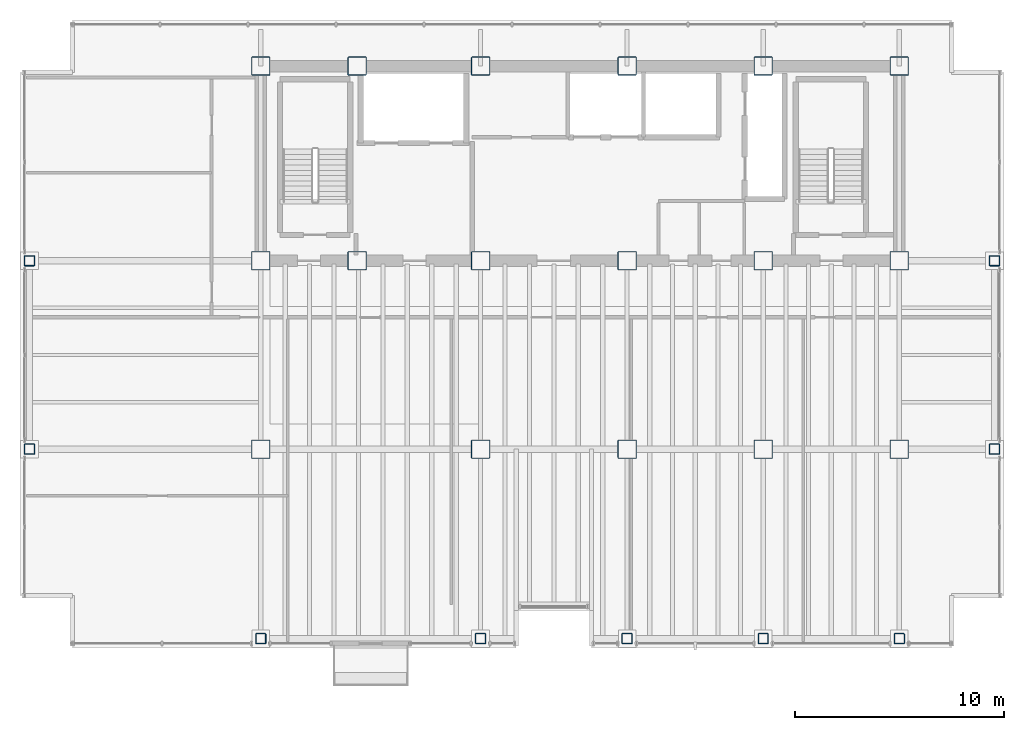
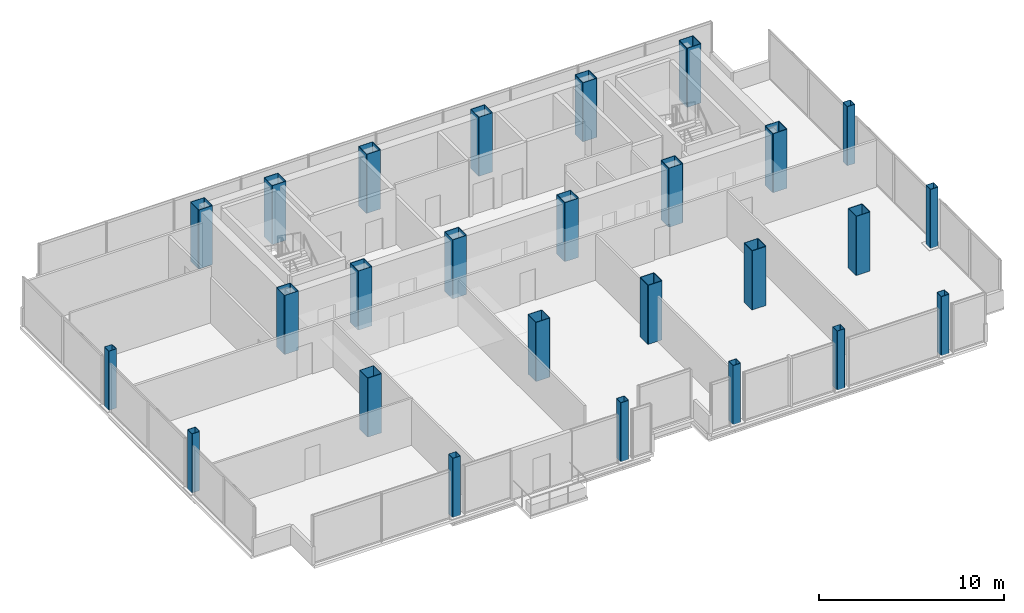
# One storey, part 1 of 20: 26 columns.
"""IFC4 building model written with IfcOpenShell, lengths in metres."""

from ifc_helpers import new_model, si_unit, direction, frame, origin, origin_2d, place, context, subcontext, project, spatial, hollow_rectangle, extrude, material, material_profile, profile_set, type_object, element, save


model = new_model("IFC4")

# Units and contexts
model_context = context("Model", 3, precision=1e-05, world=origin(), true_north=direction((0.0, 1.0)))
body_context = subcontext(model_context, "Body", "Model", "MODEL_VIEW")
ifc_project = project(units=[si_unit("LENGTHUNIT", "METRE"), si_unit("AREAUNIT", "SQUARE_METRE"), si_unit("VOLUMEUNIT", "CUBIC_METRE"), si_unit("PLANEANGLEUNIT", "RADIAN"), si_unit("MASSUNIT", "GRAM", prefix="KILO")], contexts=[model_context])

# Site, building, storey
site_placement = place(None, origin())
site = spatial("IfcSite", under=ifc_project, at=site_placement, CompositionType="ELEMENT")
building_placement = place(site_placement, origin())
building = spatial("IfcBuilding", under=site, at=building_placement, Name="Noeulbin Bourse Tower", CompositionType="ELEMENT")
storey_placement = place(building_placement, frame((0.0, 0.0, 118.800048828125)))
storey = spatial("IfcBuildingStorey", under=building, at=storey_placement, Name="L29", CompositionType="ELEMENT", Elevation=118.800048828125)

# Columns
ifc_material_1 = material(Name="Steel S355", Category="steel")
ifc_material_profile_1 = material_profile(ifc_material_1, hollow_rectangle(XDim=0.5, YDim=0.5, WallThickness=0.02392578125, InnerFilletRadius=0.011962890625, OuterFilletRadius=0.035888671875, at=origin_2d()), Name="BOX-500x500x24", Category="LoadBearing")
ifc_profile_set_1 = profile_set([ifc_material_profile_1], Name="Steel S355")
column_type_1 = type_object("IfcColumnType", Name="COL-PER-Z2", PredefinedType="COLUMN", material=ifc_profile_set_1)
for number, where, z_axis, x_axis, name in (
    (1, (2.449951171875, 20.0, 0.0), (0.0, 0.0, 1.0), (1.0, 0.0, 0.0), "Tower Perimeter Column COL-PER-Z2 01"),
    (2, (2.449951171875, 29.0, 0.0), (0.0, 0.0, 1.0), (1.0, 0.0, 0.0), "Tower Perimeter Column COL-PER-Z2 02"),
    (3, (13.5, 10.949951171875, 0.0), (0.0, 0.0, 1.0), (1.0, 0.0, 0.0), "Tower Perimeter Column COL-PER-Z2 03"),
    (4, (24.0, 10.949951171875, 0.0), (0.0, 0.0, 1.0), (1.0, 0.0, 0.0), "Tower Perimeter Column COL-PER-Z2 04"),
    (5, (31.0, 10.949951171875, 0.0), (0.0, 0.0, 1.0), (1.0, 0.0, 0.0), "Tower Perimeter Column COL-PER-Z2 05"),
    (6, (37.5, 10.949951171875, 0.0), (0.0, 0.0, 1.0), (1.0, 0.0, 0.0), "Tower Perimeter Column COL-PER-Z2 06"),
    (7, (44.0, 10.949951171875, 0.0), (0.0, 0.0, 1.0), (1.0, 0.0, 0.0), "Tower Perimeter Column COL-PER-Z2 07"),
    (8, (48.550048828125, 20.0, 0.0), (0.0, 0.0, 1.0), (1.0, 0.0, 0.0), "Tower Perimeter Column COL-PER-Z2 08"),
    (9, (48.550048828125, 29.0, 0.0), (0.0, 0.0, 1.0), (1.0, 0.0, 0.0), "Tower Perimeter Column COL-PER-Z2 09"),
):
    element("IfcColumn", number, at=place(storey_placement, frame(where, z_axis=z_axis, x_axis=x_axis)), inside=storey, type_object=column_type_1, Name=name, PredefinedType="COLUMN", context=body_context, shape_type="SweptSolid", body=[
        extrude(hollow_rectangle(XDim=0.5, YDim=0.5, WallThickness=0.02392578125, InnerFilletRadius=0.011962890625, OuterFilletRadius=0.035888671875, at=origin_2d()), origin(), (0.0, 0.0, 1.0), 3.89990234375),
    ])
ifc_material_2 = material(Name="Steel S460", Category="steel")
ifc_material_profile_2 = material_profile(ifc_material_2, hollow_rectangle(XDim=0.89990234375, YDim=0.89990234375, WallThickness=0.034912109375, InnerFilletRadius=0.01708984375, OuterFilletRadius=0.052001953125, at=origin_2d()), Name="BOX-900x900x35", Category="LoadBearing")
ifc_profile_set_2 = profile_set([ifc_material_profile_2], Name="Steel S460")
column_type_2 = type_object("IfcColumnType", Name="COL-TRK-Z2", PredefinedType="COLUMN", material=ifc_profile_set_2)
for number, where, z_axis, x_axis, name in (
    (10, (13.5, 29.0, 0.0), (0.0, 0.0, 1.0), (1.0, 0.0, 0.0), "Tower Trunk Mega-Column COL-TRK-Z2 01"),
    (11, (13.5, 38.300048828125, 0.0), (0.0, 0.0, 1.0), (1.0, 0.0, 0.0), "Tower Trunk Mega-Column COL-TRK-Z2 02"),
    (12, (18.10009765625, 29.0, 0.0), (0.0, 0.0, 1.0), (1.0, 0.0, 0.0), "Tower Trunk Mega-Column COL-TRK-Z2 03"),
    (13, (18.10009765625, 38.300048828125, 0.0), (0.0, 0.0, 1.0), (1.0, 0.0, 0.0), "Tower Trunk Mega-Column COL-TRK-Z2 04"),
    (14, (24.0, 29.0, 0.0), (0.0, 0.0, 1.0), (1.0, 0.0, 0.0), "Tower Trunk Mega-Column COL-TRK-Z2 05"),
    (15, (24.0, 38.300048828125, 0.0), (0.0, 0.0, 1.0), (1.0, 0.0, 0.0), "Tower Trunk Mega-Column COL-TRK-Z2 06"),
    (16, (31.0, 29.0, 0.0), (0.0, 0.0, 1.0), (1.0, 0.0, 0.0), "Tower Trunk Mega-Column COL-TRK-Z2 07"),
    (17, (31.0, 38.300048828125, 0.0), (0.0, 0.0, 1.0), (1.0, 0.0, 0.0), "Tower Trunk Mega-Column COL-TRK-Z2 08"),
    (18, (37.5, 29.0, 0.0), (0.0, 0.0, 1.0), (1.0, 0.0, 0.0), "Tower Trunk Mega-Column COL-TRK-Z2 09"),
    (19, (37.5, 38.300048828125, 0.0), (0.0, 0.0, 1.0), (1.0, 0.0, 0.0), "Tower Trunk Mega-Column COL-TRK-Z2 10"),
    (20, (44.0, 29.0, 0.0), (0.0, 0.0, 1.0), (1.0, 0.0, 0.0), "Tower Trunk Mega-Column COL-TRK-Z2 11"),
    (21, (44.0, 38.300048828125, 0.0), (0.0, 0.0, 1.0), (1.0, 0.0, 0.0), "Tower Trunk Mega-Column COL-TRK-Z2 12"),
    (22, (13.5, 20.0, 0.0), (0.0, 0.0, 1.0), (1.0, 0.0, 0.0), "Tower Trunk Mega-Column COL-TRK-Z2 13"),
    (23, (24.0, 20.0, 0.0), (0.0, 0.0, 1.0), (1.0, 0.0, 0.0), "Tower Trunk Mega-Column COL-TRK-Z2 14"),
    (24, (31.0, 20.0, 0.0), (0.0, 0.0, 1.0), (1.0, 0.0, 0.0), "Tower Trunk Mega-Column COL-TRK-Z2 15"),
    (25, (37.5, 20.0, 0.0), (0.0, 0.0, 1.0), (1.0, 0.0, 0.0), "Tower Trunk Mega-Column COL-TRK-Z2 16"),
    (26, (44.0, 20.0, 0.0), (0.0, 0.0, 1.0), (1.0, 0.0, 0.0), "Tower Trunk Mega-Column COL-TRK-Z2 17"),
):
    element("IfcColumn", number, at=place(storey_placement, frame(where, z_axis=z_axis, x_axis=x_axis)), inside=storey, type_object=column_type_2, Name=name, PredefinedType="COLUMN", context=body_context, shape_type="SweptSolid", body=[
        extrude(hollow_rectangle(XDim=0.89990234375, YDim=0.89990234375, WallThickness=0.034912109375, InnerFilletRadius=0.01708984375, OuterFilletRadius=0.052001953125, at=origin_2d()), origin(), (0.0, 0.0, 1.0), 3.89990234375),
    ])

save(model, "model.ifc")
